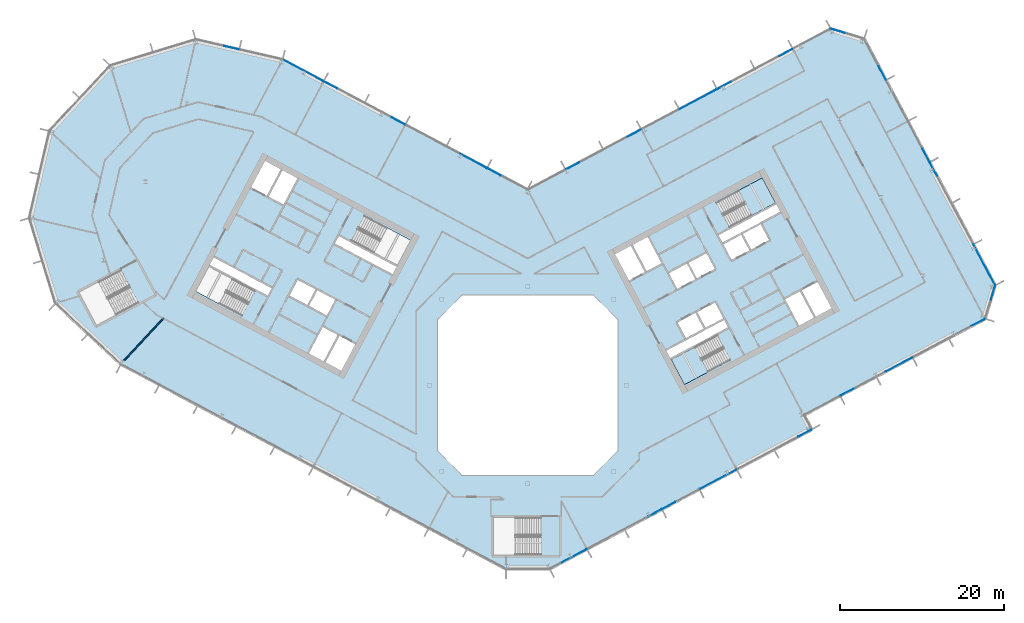
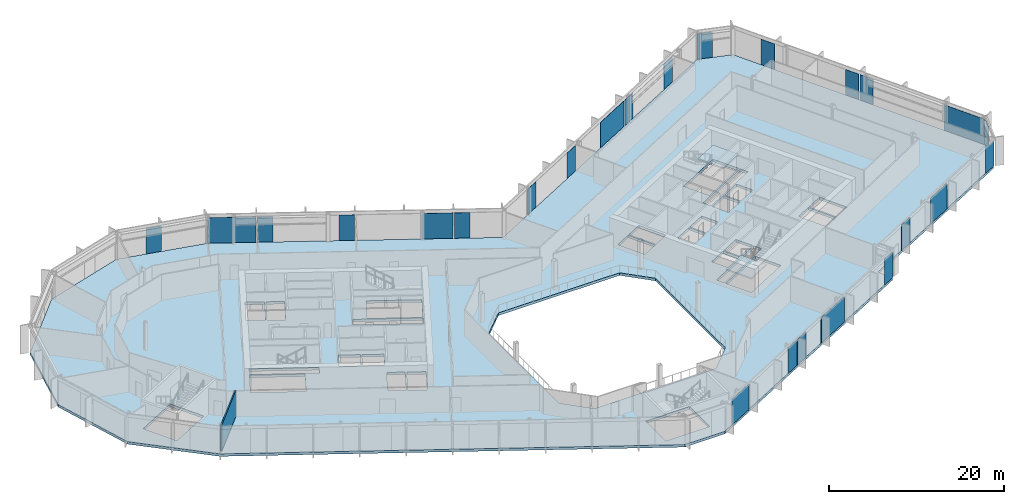
# One storey, part 12 of 28: 25 plates, 3 slabs, 1 wall, 10 elements without a shape of their own.
"""IFC4 building model written with IfcOpenShell, lengths in metres."""

import ifcopenshell
import ifcopenshell.guid

model = None  # the IFC model being written
_history = None  # IfcOwnerHistory: only IFC2X3 demands one
_inside = {}  # id of a spatial element -> (the spatial element, [elements in it])
_under = {}  # id of a project, library or spatial element -> (it, [spatial elements below it])
_declared = {}  # id of a project -> (the project, [libraries it declares])
_typed = {}  # id of a type object -> (the type object, [elements of that type])
_made_of = {}  # id of a material, layer set ... -> (it, [elements and type objects made of it])


def new_model(schema):
    """Start an empty IFC model of exactly this schema.

    Asked for "IFC4X3", IfcOpenShell would pick the latest addendum, in which some entities
    have other attributes; the version numbers below select the first issue.
    IFC2X3 requires an IfcOwnerHistory on every rooted entity: one is made here for all.
    """
    global model, _history
    if schema == "IFC4X3":
        model = ifcopenshell.file(schema_version=(4, 3, 0, 0))
    else:
        model = ifcopenshell.file(schema=schema)
    _inside.clear()
    _under.clear()
    _declared.clear()
    _typed.clear()
    _made_of.clear()
    _history = None
    if model.schema == "IFC2X3":
        org = make("IfcOrganization", Name="unknown")
        user = make(
            "IfcPersonAndOrganization",
            ThePerson=make("IfcPerson", FamilyName="unknown"),
            TheOrganization=org,
        )
        app = make(
            "IfcApplication",
            ApplicationDeveloper=org,
            Version="unknown",
            ApplicationFullName="unknown",
            ApplicationIdentifier="unknown",
        )
        _history = make(
            "IfcOwnerHistory",
            OwningUser=user,
            OwningApplication=app,
            ChangeAction="ADDED",
            CreationDate=0,
        )
    return model


def make(cls, **values):
    """One entity of the class cls with the attributes given. An attribute that is None is left unset."""
    return model.create_entity(
        cls, **{name: value for name, value in values.items() if value is not None}
    )


def rooted(cls, **values):
    """An entity with a GlobalId (a new one), such as an element, a storey or a relation."""
    return make(cls, GlobalId=ifcopenshell.guid.new(), OwnerHistory=_history, **values)


def si_unit(unit_type, name, prefix=None):
    """IfcSIUnit, for example si_unit("LENGTHUNIT", "METRE", prefix="MILLI")."""
    return make("IfcSIUnit", UnitType=unit_type, Prefix=prefix, Name=name)


def assignment(units):
    """IfcUnitAssignment: the units of a project."""
    return None if units is None else make("IfcUnitAssignment", Units=units)


def point(xyz):
    """IfcCartesianPoint."""
    return None if xyz is None else make("IfcCartesianPoint", Coordinates=xyz)


def direction(xyz):
    """IfcDirection."""
    return None if xyz is None else make("IfcDirection", DirectionRatios=xyz)


def frame(location, z_axis=None, x_axis=None):
    """IfcAxis2Placement3D, a coordinate frame: its origin and axes. An axis left out is left unset."""
    return make(
        "IfcAxis2Placement3D",
        Location=point(location),
        Axis=direction(z_axis),
        RefDirection=direction(x_axis),
    )


def frame_2d(location, x_axis=None):
    """IfcAxis2Placement2D, a coordinate frame in the plane: its origin and x axis."""
    return make(
        "IfcAxis2Placement2D", Location=point(location), RefDirection=direction(x_axis)
    )


def origin():
    """The frame at (0, 0, 0) with its axes left unset."""
    return frame((0.0, 0.0, 0.0))


def origin_2d():
    """The frame at (0, 0) in the plane with its x axis left unset."""
    return frame_2d((0.0, 0.0))


def place(relative_to, where):
    """IfcLocalPlacement: puts the frame where relative to a parent placement (None: the world)."""
    return make(
        "IfcLocalPlacement", PlacementRelTo=relative_to, RelativePlacement=where
    )


def context(
    kind, dimensions, precision=None, world=None, true_north=None, identifier=None
):
    """IfcGeometricRepresentationContext, for example the 3D "Model" context."""
    return make(
        "IfcGeometricRepresentationContext",
        ContextIdentifier=identifier,
        ContextType=kind,
        CoordinateSpaceDimension=dimensions,
        Precision=precision,
        WorldCoordinateSystem=world,
        TrueNorth=true_north,
    )


def subcontext(parent, identifier, kind, view, scale=None):
    """IfcGeometricRepresentationSubContext, for example "Body" below "Model"."""
    return make(
        "IfcGeometricRepresentationSubContext",
        ContextIdentifier=identifier,
        ContextType=kind,
        ParentContext=parent,
        TargetScale=scale,
        TargetView=view,
    )


def project(units=None, contexts=None):
    """IfcProject with its units and contexts."""
    return rooted(
        "IfcProject",
        Name="project",
        RepresentationContexts=contexts,
        UnitsInContext=assignment(units),
    )


def spatial(cls, under=None, at=None, **own):
    """A site, building, storey or space (cls), placed at a placement, below another one or the project."""
    s = rooted(cls, ObjectPlacement=at, **own)
    if under is not None:
        _under.setdefault(under.id(), (under, []))[1].append(s)
    return s


def polyline(points):
    """IfcPolyline through the points."""
    return make("IfcPolyline", Points=[point(p) for p in points])


def profile(cls, at=None, kind="AREA", **sizes):
    """A parametric profile (cls). Its sizes go by their IFC names, for example OverallWidth=200.0."""
    return make(cls, ProfileType=kind, Position=at, **sizes)


def rectangle(**sizes):
    """IfcRectangleProfileDef."""
    return profile("IfcRectangleProfileDef", **sizes)


def outline(outer, holes=None, kind="AREA"):
    """IfcArbitraryClosedProfileDef: a profile drawn as a closed curve; with holes, ...WithVoids."""
    if holes is None:
        return make("IfcArbitraryClosedProfileDef", ProfileType=kind, OuterCurve=outer)
    return make(
        "IfcArbitraryProfileDefWithVoids",
        ProfileType=kind,
        OuterCurve=outer,
        InnerCurves=holes,
    )


def extrude(swept, where, along, depth):
    """IfcExtrudedAreaSolid: the profile swept, set in the frame where, extruded along a direction by depth."""
    return make(
        "IfcExtrudedAreaSolid",
        SweptArea=swept,
        Position=where,
        ExtrudedDirection=direction(along),
        Depth=depth,
    )


def shape(context_of_items, identifier, shape_type, items):
    """IfcShapeRepresentation: the items that make up one representation, for example the "Body"."""
    return make(
        "IfcShapeRepresentation",
        ContextOfItems=context_of_items,
        RepresentationIdentifier=identifier,
        RepresentationType=shape_type,
        Items=items,
    )


def material(Name=None, Category=None):
    """IfcMaterial."""
    return make("IfcMaterial", Name=Name, Category=Category)


def layer(
    of_material, thickness, ventilated=None, Name=None, Category=None, Priority=None
):
    """IfcMaterialLayer: one layer of a wall or slab, of a material (None: an air gap)."""
    return make(
        "IfcMaterialLayer",
        Material=of_material,
        LayerThickness=thickness,
        IsVentilated=ventilated,
        Name=Name,
        Category=Category,
        Priority=Priority,
    )


def layer_set(layers, Name=None):
    """IfcMaterialLayerSet."""
    return make("IfcMaterialLayerSet", MaterialLayers=layers, LayerSetName=Name)


def made_of(thing, what):
    """Note that an element or type object is made of a material, layer set ...; save() writes the relation."""
    if what is not None:
        _made_of.setdefault(what.id(), (what, []))[1].append(thing)
    return thing


def type_object(cls, material=None, **own):
    """A type object (cls), such as IfcWallType, which elements share."""
    return made_of(rooted(cls, **own), material)


def element(
    cls,
    number,
    at=None,
    inside=None,
    cuts=None,
    type_object=None,
    material=None,
    context=None,
    identifier="Body",
    shape_type=None,
    held_by="IfcProductDefinitionShape",
    body=None,
    shapes=None,
    **own,
):
    """One element of the class cls, such as IfcWall. Its Tag is "e" and its number.

    at: its placement. inside: the storey or other place that contains it. cuts: it is an
    opening in that element (IfcRelVoidsElement). A single representation is given by context,
    identifier, shape_type and body (its items); several are given by shapes. held_by: the class
    of the entity that holds the representations. save() writes the other relations.
    """
    e = rooted(cls, Tag="e%d" % number, ObjectPlacement=at, **own)
    if body is not None:
        shapes = [shape(context, identifier, shape_type, body)]
    if shapes is not None:
        e.Representation = make(held_by, Representations=shapes)
    if inside is not None:
        _inside.setdefault(inside.id(), (inside, []))[1].append(e)
    if cuts is not None:
        rooted(
            "IfcRelVoidsElement", RelatingBuildingElement=cuts, RelatedOpeningElement=e
        )
    if type_object is not None:
        _typed.setdefault(type_object.id(), (type_object, []))[1].append(e)
    return made_of(e, material)


def aggregate(whole, parts):
    """IfcRelAggregates: a whole, such as a stair, and the parts it consists of."""
    return rooted("IfcRelAggregates", RelatingObject=whole, RelatedObjects=parts)


def save(model, path):
    """Write the relations noted so far, then the file.

    IfcRelAggregates (storeys below a building ...), IfcRelContainedInSpatialStructure (elements
    in a storey), IfcRelDefinesByType, IfcRelAssociatesMaterial and IfcRelDeclares: one each for
    every whole, place, type object, material and project.
    """
    for whole, parts in _under.values():
        aggregate(whole, parts)
    for where, things in _inside.values():
        rooted(
            "IfcRelContainedInSpatialStructure",
            RelatedElements=things,
            RelatingStructure=where,
        )
    for kind, things in _typed.values():
        rooted("IfcRelDefinesByType", RelatedObjects=things, RelatingType=kind)
    for what, things in _made_of.values():
        rooted("IfcRelAssociatesMaterial", RelatedObjects=things, RelatingMaterial=what)
    for by, libraries in _declared.values():
        rooted("IfcRelDeclares", RelatingContext=by, RelatedDefinitions=libraries)
    model.write(path)


model = new_model("IFC4")

# Units and contexts
model_context = context("Model", 3, precision=1e-05, world=origin(), true_north=direction((0.0, 1.0)))
body_context = subcontext(model_context, "Body", "Model", "MODEL_VIEW")
ifc_project = project(units=[si_unit("LENGTHUNIT", "METRE"), si_unit("AREAUNIT", "SQUARE_METRE"), si_unit("VOLUMEUNIT", "CUBIC_METRE"), si_unit("PLANEANGLEUNIT", "RADIAN"), si_unit("MASSUNIT", "GRAM", prefix="KILO")], contexts=[model_context])

# Site, building, storey
site_placement = place(None, origin())
site = spatial("IfcSite", under=ifc_project, at=site_placement, CompositionType="ELEMENT")
building_placement = place(site_placement, origin())
building = spatial("IfcBuilding", under=site, at=building_placement, Name="Cormorant Relay Tower", CompositionType="ELEMENT")
storey_placement = place(building_placement, frame((0.0, 0.0, 166.199951171875)))
storey = spatial("IfcBuildingStorey", under=building, at=storey_placement, Name="L35", CompositionType="ELEMENT", Elevation=166.199951171875)

# Curtain wall, plates
ifc_material_1 = material(Name="Aluminium 6063-T6 anodised bronze", Category="aluminium")
ifc_layer_1 = layer(ifc_material_1, 0.199951171875)
ifc_layer_set_1 = layer_set([ifc_layer_1], Name="CW1 unitised bronze curtain wall with vertical fins")
curtain_wall_type = type_object("IfcCurtainWallType", Name="CW1 unitised bronze curtain wall with vertical fins", PredefinedType="NOTDEFINED", material=ifc_layer_set_1)
curtain_wall_1_placement = place(storey_placement, origin())
curtain_wall_1 = element("IfcCurtainWall", 1, at=curtain_wall_1_placement, inside=storey, type_object=curtain_wall_type, Name="CW1 curtain wall 2", PredefinedType="NOTDEFINED")
ifc_material_2 = material(Name="Tinted laminated glass", Category="glass")
ifc_layer_2 = layer(ifc_material_2, 0.0400390625)
ifc_layer_set_2 = layer_set([ifc_layer_2], Name="CW1 tinted vision panel 1800 module")
plate_type_1 = type_object("IfcPlateType", Name="CW1 tinted vision panel 1800 module", PredefinedType="CURTAIN_PANEL", material=ifc_layer_set_2)
plate_1_placement = place(storey_placement, frame((15.48291015625, -15.57421875, 0.0), z_axis=(0.0, 0.0, 1.0), x_axis=(0.882947592859, 0.469471562786, 0.0)))
plate_1 = element("IfcPlate", 2, at=plate_1_placement, type_object=plate_type_1, Name="CW1 panel V03", PredefinedType="CURTAIN_PANEL", context=body_context, shape_type="SweptSolid", body=[
    extrude(rectangle(XDim=1.800048828125, YDim=0.0400390625, at=origin_2d()), origin(), (0.0, 0.0, 1.0), 3.550048828125),
])
plate_2_placement = place(storey_placement, frame((17.20458984375, -14.65869140625, 0.0), z_axis=(0.0, 0.0, 1.0), x_axis=(0.882947592859, 0.469471562786, 0.0)))
plate_2 = element("IfcPlate", 3, at=plate_2_placement, type_object=plate_type_1, Name="CW1 panel V04", PredefinedType="CURTAIN_PANEL", context=body_context, shape_type="SweptSolid", body=[
    extrude(rectangle(XDim=1.800048828125, YDim=0.0400390625, at=origin_2d()), origin(), (0.0, 0.0, 1.0), 3.550048828125),
])
plate_3_placement = place(storey_placement, frame((33.796142578125, -5.8369140625, 0.0), z_axis=(0.0, 0.0, 1.0), x_axis=(0.882947592859, 0.469471562786, 0.0)))
plate_3 = element("IfcPlate", 4, at=plate_3_placement, type_object=plate_type_1, Name="CW1 panel V08", PredefinedType="CURTAIN_PANEL", context=body_context, shape_type="SweptSolid", body=[
    extrude(rectangle(XDim=1.800048828125, YDim=0.0400390625, at=origin_2d()), origin(), (0.0, 0.0, 1.0), 3.550048828125),
])

curtain_wall_2_placement = place(storey_placement, origin())
curtain_wall_2 = element("IfcCurtainWall", 5, at=curtain_wall_2_placement, inside=storey, type_object=curtain_wall_type, Name="CW1 curtain wall 4", PredefinedType="NOTDEFINED")
plate_4_placement = place(storey_placement, frame((38.927490234375, -0.843505859375, 0.0), z_axis=(0.0, 0.0, 1.0), x_axis=(0.882947592859, 0.469471562786, 0.0)))
plate_4 = element("IfcPlate", 6, at=plate_4_placement, type_object=plate_type_1, Name="CW1 panel V01", PredefinedType="CURTAIN_PANEL", context=body_context, shape_type="SweptSolid", body=[
    extrude(rectangle(XDim=1.800048828125, YDim=0.0400390625, at=origin_2d()), origin(), (0.0, 0.0, 1.0), 3.550048828125),
])
plate_5_placement = place(storey_placement, frame((54.930908203125, 7.665771484375, 0.0), z_axis=(0.0, 0.0, 1.0), x_axis=(0.882947592859, 0.469471562786, 0.0)))
plate_5 = element("IfcPlate", 7, at=plate_5_placement, type_object=plate_type_1, Name="CW1 panel V05", PredefinedType="CURTAIN_PANEL", context=body_context, shape_type="SweptSolid", body=[
    extrude(rectangle(XDim=1.800048828125, YDim=0.0400390625, at=origin_2d()), origin(), (0.0, 0.0, 1.0), 3.550048828125),
])

# Curtain wall, plate
curtain_wall_3_placement = place(storey_placement, origin())
curtain_wall_3 = element("IfcCurtainWall", 8, at=curtain_wall_3_placement, inside=storey, type_object=curtain_wall_type, Name="CW1 curtain wall 5", PredefinedType="NOTDEFINED")
plate_6_placement = place(storey_placement, frame((56.712646484375, 11.296630859375, 0.0), z_axis=(0.0, 0.0, 1.0), x_axis=(0.292371704723, 0.956304755963, 0.0)))
plate_6 = element("IfcPlate", 9, at=plate_6_placement, type_object=plate_type_1, Name="CW1 panel V01", PredefinedType="CURTAIN_PANEL", context=body_context, shape_type="SweptSolid", body=[
    extrude(rectangle(XDim=1.800048828125, YDim=0.0400390625, at=origin_2d()), origin(), (0.0, 0.0, 1.0), 3.550048828125),
])
aggregate(curtain_wall_3, [plate_6])

# Curtain wall, plates
curtain_wall_4_placement = place(storey_placement, origin())
curtain_wall_4 = element("IfcCurtainWall", 10, at=curtain_wall_4_placement, inside=storey, type_object=curtain_wall_type, Name="CW1 curtain wall 6", PredefinedType="NOTDEFINED")
plate_7_placement = place(storey_placement, frame((49.450927734375, 26.322021484375, 0.0), z_axis=(0.0, 0.0, 1.0), x_axis=(-0.469471562786, 0.882947592859, 0.0)))
plate_7 = element("IfcPlate", 11, at=plate_7_placement, type_object=plate_type_1, Name="CW1 panel V02", PredefinedType="CURTAIN_PANEL", context=body_context, shape_type="SweptSolid", body=[
    extrude(rectangle(XDim=1.800048828125, YDim=0.0400390625, at=origin_2d()), origin(), (0.0, 0.0, 1.0), 3.550048828125),
])
plate_8_placement = place(storey_placement, frame((48.535400390625, 28.043701171875, 0.0), z_axis=(0.0, 0.0, 1.0), x_axis=(-0.469471562786, 0.882947592859, 0.0)))
plate_8 = element("IfcPlate", 12, at=plate_8_placement, type_object=plate_type_1, Name="CW1 panel V03", PredefinedType="CURTAIN_PANEL", context=body_context, shape_type="SweptSolid", body=[
    extrude(rectangle(XDim=1.800048828125, YDim=0.0400390625, at=origin_2d()), origin(), (0.0, 0.0, 1.0), 3.550048828125),
])
plate_9_placement = place(storey_placement, frame((43.21484375, 38.05029296875, 0.0), z_axis=(0.0, 0.0, 1.0), x_axis=(-0.469471562786, 0.882947592859, 0.0)))
plate_9 = element("IfcPlate", 13, at=plate_9_placement, type_object=plate_type_1, Name="CW1 panel V05", PredefinedType="CURTAIN_PANEL", context=body_context, shape_type="SweptSolid", body=[
    extrude(rectangle(XDim=1.800048828125, YDim=0.0400390625, at=origin_2d()), origin(), (0.0, 0.0, 1.0), 3.550048828125),
])

# Curtain wall, plate
curtain_wall_5_placement = place(storey_placement, origin())
curtain_wall_5 = element("IfcCurtainWall", 14, at=curtain_wall_5_placement, inside=storey, type_object=curtain_wall_type, Name="CW1 curtain wall 7", PredefinedType="NOTDEFINED")
plate_10_placement = place(storey_placement, frame((37.8037109375, 43.179931640625, 0.0), z_axis=(0.0, 0.0, 1.0), x_axis=(-0.956304755963, 0.292371704723, 0.0)))
plate_10 = element("IfcPlate", 15, at=plate_10_placement, type_object=plate_type_1, Name="CW1 panel V01", PredefinedType="CURTAIN_PANEL", context=body_context, shape_type="SweptSolid", body=[
    extrude(rectangle(XDim=1.800048828125, YDim=0.0400390625, at=origin_2d()), origin(), (0.0, 0.0, 1.0), 3.550048828125),
])
aggregate(curtain_wall_5, [plate_10])

# Curtain wall, plates
curtain_wall_6_placement = place(storey_placement, origin())
curtain_wall_6 = element("IfcCurtainWall", 16, at=curtain_wall_6_placement, inside=storey, type_object=curtain_wall_type, Name="CW1 curtain wall 8", PredefinedType="NOTDEFINED")
plate_11_placement = place(storey_placement, frame((31.449951171875, 40.52880859375, 0.0), z_axis=(0.0, 0.0, 1.0), x_axis=(-0.882947592859, -0.469471562786, 0.0)))
plate_11 = element("IfcPlate", 17, at=plate_11_placement, type_object=plate_type_1, Name="CW1 panel V01", PredefinedType="CURTAIN_PANEL", context=body_context, shape_type="SweptSolid", body=[
    extrude(rectangle(XDim=1.800048828125, YDim=0.0400390625, at=origin_2d()), origin(), (0.0, 0.0, 1.0), 3.550048828125),
])
plate_12_placement = place(storey_placement, frame((23.937255859375, 36.5341796875, 0.0), z_axis=(0.0, 0.0, 1.0), x_axis=(-0.882947592859, -0.469471562786, 0.0)))
plate_12 = element("IfcPlate", 18, at=plate_12_placement, type_object=plate_type_1, Name="CW1 panel V03", PredefinedType="CURTAIN_PANEL", context=body_context, shape_type="SweptSolid", body=[
    extrude(rectangle(XDim=1.800048828125, YDim=0.0400390625, at=origin_2d()), origin(), (0.0, 0.0, 1.0), 3.550048828125),
])
plate_13_placement = place(storey_placement, frame((12.981201171875, 30.708984375, 0.0), z_axis=(0.0, 0.0, 1.0), x_axis=(-0.882947592859, -0.469471562786, 0.0)))
plate_13 = element("IfcPlate", 19, at=plate_13_placement, type_object=plate_type_1, Name="CW1 panel V06", PredefinedType="CURTAIN_PANEL", context=body_context, shape_type="SweptSolid", body=[
    extrude(rectangle(XDim=1.800048828125, YDim=0.0400390625, at=origin_2d()), origin(), (0.0, 0.0, 1.0), 3.550048828125),
])
plate_14_placement = place(storey_placement, frame((5.468505859375, 26.71435546875, 0.0), z_axis=(0.0, 0.0, 1.0), x_axis=(-0.882947592859, -0.469471562786, 0.0)))
plate_14 = element("IfcPlate", 20, at=plate_14_placement, type_object=plate_type_1, Name="CW1 panel V08", PredefinedType="CURTAIN_PANEL", context=body_context, shape_type="SweptSolid", body=[
    extrude(rectangle(XDim=1.800048828125, YDim=0.0400390625, at=origin_2d()), origin(), (0.0, 0.0, 1.0), 3.550048828125),
])

curtain_wall_7_placement = place(storey_placement, origin())
curtain_wall_7 = element("IfcCurtainWall", 21, at=curtain_wall_7_placement, inside=storey, type_object=curtain_wall_type, Name="CW1 curtain wall 9", PredefinedType="NOTDEFINED")
plate_15_placement = place(storey_placement, frame((-4.108642578125, 25.9912109375, 0.0), z_axis=(0.0, 0.0, 1.0), x_axis=(-0.882947592859, 0.469471562786, 0.0)))
plate_15 = element("IfcPlate", 22, at=plate_15_placement, type_object=plate_type_1, Name="CW1 panel V01", PredefinedType="CURTAIN_PANEL", context=body_context, shape_type="SweptSolid", body=[
    extrude(rectangle(XDim=1.800048828125, YDim=0.0400390625, at=origin_2d()), origin(), (0.0, 0.0, 1.0), 3.550048828125),
])
plate_16_placement = place(storey_placement, frame((-15.788330078125, 32.201416015625, 0.0), z_axis=(0.0, 0.0, 1.0), x_axis=(-0.882947592859, 0.469471562786, 0.0)))
plate_16 = element("IfcPlate", 23, at=plate_16_placement, type_object=plate_type_1, Name="CW1 panel V04", PredefinedType="CURTAIN_PANEL", context=body_context, shape_type="SweptSolid", body=[
    extrude(rectangle(XDim=1.800048828125, YDim=0.0400390625, at=origin_2d()), origin(), (0.0, 0.0, 1.0), 3.550048828125),
])
plate_17_placement = place(storey_placement, frame((-24.0244140625, 36.580810546875, 0.0), z_axis=(0.0, 0.0, 1.0), x_axis=(-0.882947592859, 0.469471562786, 0.0)))
plate_17 = element("IfcPlate", 24, at=plate_17_placement, type_object=plate_type_1, Name="CW1 panel V06", PredefinedType="CURTAIN_PANEL", context=body_context, shape_type="SweptSolid", body=[
    extrude(rectangle(XDim=1.800048828125, YDim=0.0400390625, at=origin_2d()), origin(), (0.0, 0.0, 1.0), 3.550048828125),
])

# Curtain wall, plate
curtain_wall_8_placement = place(storey_placement, origin())
curtain_wall_8 = element("IfcCurtainWall", 25, at=curtain_wall_8_placement, inside=storey, type_object=curtain_wall_type, Name="CW1 curtain wall 10", PredefinedType="NOTDEFINED")
plate_18_placement = place(storey_placement, frame((-36.114990234375, 41.129638671875, 0.0), z_axis=(0.0, 0.0, 1.0), x_axis=(-0.974370064785, 0.224951054344, 0.0)))
plate_18 = element("IfcPlate", 26, at=plate_18_placement, type_object=plate_type_1, Name="CW1 panel V01", PredefinedType="CURTAIN_PANEL", context=body_context, shape_type="SweptSolid", body=[
    extrude(rectangle(XDim=1.800048828125, YDim=0.0400390625, at=origin_2d()), origin(), (0.0, 0.0, 1.0), 3.550048828125),
])
aggregate(curtain_wall_8, [plate_18])

# Plate
ifc_material_3 = material(Name="Tinted laminated glass", Category="glass")
ifc_layer_3 = layer(ifc_material_3, 0.0400390625)
ifc_layer_set_3 = layer_set([ifc_layer_3], Name="CW1 tinted vision panel 3600 module")
plate_type_2 = type_object("IfcPlateType", Name="CW1 tinted vision panel 3600 module", PredefinedType="CURTAIN_PANEL", material=ifc_layer_set_3)
plate_19_placement = place(storey_placement, frame((5.564453125, -20.847900390625, 0.0), z_axis=(0.0, 0.0, 1.0), x_axis=(0.882947592859, 0.469471562786, 0.0)))
plate_19 = element("IfcPlate", 27, at=plate_19_placement, type_object=plate_type_2, Name="CW1 panel V01", PredefinedType="CURTAIN_PANEL", context=body_context, shape_type="SweptSolid", body=[
    extrude(rectangle(XDim=3.60009765625, YDim=0.0400390625, at=origin_2d()), origin(), (0.0, 0.0, 1.0), 3.550048828125),
])

plate_20_placement = place(storey_placement, frame((45.240478515625, 2.513427734375, 0.0), z_axis=(0.0, 0.0, 1.0), x_axis=(0.882947592859, 0.469471562786, 0.0)))
plate_20 = element("IfcPlate", 28, at=plate_20_placement, type_object=plate_type_2, Name="CW1 panel V03", PredefinedType="CURTAIN_PANEL", context=body_context, shape_type="SweptSolid", body=[
    extrude(rectangle(XDim=3.60009765625, YDim=0.0400390625, at=origin_2d()), origin(), (0.0, 0.0, 1.0), 3.550048828125),
])

aggregate(curtain_wall_2, [plate_4, plate_20, plate_5])

plate_21_placement = place(storey_placement, frame((-6.625, 27.3291015625, 0.0), z_axis=(0.0, 0.0, 1.0), x_axis=(-0.882947592859, 0.469471562786, 0.0)))
plate_21 = element("IfcPlate", 29, at=plate_21_placement, type_object=plate_type_2, Name="CW1 panel V02", PredefinedType="CURTAIN_PANEL", context=body_context, shape_type="SweptSolid", body=[
    extrude(rectangle(XDim=3.60009765625, YDim=0.0400390625, at=origin_2d()), origin(), (0.0, 0.0, 1.0), 3.550048828125),
])

ifc_material_4 = material(Name="Tinted laminated glass", Category="glass")
ifc_layer_4 = layer(ifc_material_4, 0.0400390625)
ifc_layer_set_4 = layer_set([ifc_layer_4], Name="CW1 tinted vision panel 5400 module")
plate_type_3 = type_object("IfcPlateType", Name="CW1 tinted vision panel 5400 module", PredefinedType="CURTAIN_PANEL", material=ifc_layer_set_4)
plate_22_placement = place(storey_placement, frame((23.186279296875, -11.478271484375, 0.0), z_axis=(0.0, 0.0, 1.0), x_axis=(0.882947592859, 0.469471562786, 0.0)))
plate_22 = element("IfcPlate", 30, at=plate_22_placement, type_object=plate_type_3, Name="CW1 panel V06", PredefinedType="CURTAIN_PANEL", context=body_context, shape_type="SweptSolid", body=[
    extrude(rectangle(XDim=5.0166015625, YDim=0.0400390625, at=origin_2d()), origin(), (0.0, 0.0, 1.0), 3.550048828125),
])

aggregate(curtain_wall_1, [plate_19, plate_1, plate_2, plate_22, plate_3])

plate_23_placement = place(storey_placement, frame((55.64404296875, 14.67431640625, 0.0), z_axis=(0.0, 0.0, 1.0), x_axis=(-0.469471562786, 0.882947592859, 0.0)))
plate_23 = element("IfcPlate", 31, at=plate_23_placement, type_object=plate_type_3, Name="CW1 panel V00", PredefinedType="CURTAIN_PANEL", context=body_context, shape_type="SweptSolid", body=[
    extrude(rectangle(XDim=5.5166015625, YDim=0.0400390625, at=origin_2d()), origin(), (0.0, 0.0, 1.0), 3.550048828125),
])

aggregate(curtain_wall_4, [plate_23, plate_7, plate_8, plate_9])

plate_24_placement = place(storey_placement, frame((20.767822265625, 34.84912109375, 0.0), z_axis=(0.0, 0.0, 1.0), x_axis=(-0.882947592859, -0.469471562786, 0.0)))
plate_24 = element("IfcPlate", 32, at=plate_24_placement, type_object=plate_type_3, Name="CW1 panel V04", PredefinedType="CURTAIN_PANEL", context=body_context, shape_type="SweptSolid", body=[
    extrude(rectangle(XDim=5.079345703125, YDim=0.0400390625, at=origin_2d()), origin(), (0.0, 0.0, 1.0), 3.550048828125),
])

aggregate(curtain_wall_6, [plate_11, plate_12, plate_24, plate_13, plate_14])

plate_25_placement = place(storey_placement, frame((-27.407958984375, 38.379638671875, 0.0), z_axis=(0.0, 0.0, 1.0), x_axis=(-0.882947592859, 0.469471562786, 0.0)))
plate_25 = element("IfcPlate", 33, at=plate_25_placement, type_object=plate_type_3, Name="CW1 panel V07", PredefinedType="CURTAIN_PANEL", context=body_context, shape_type="SweptSolid", body=[
    extrude(rectangle(XDim=5.56396484375, YDim=0.0400390625, at=origin_2d()), origin(), (0.0, 0.0, 1.0), 3.550048828125),
])

aggregate(curtain_wall_7, [plate_15, plate_21, plate_16, plate_17, plate_25])

# Stair, slab
ifc_material_5 = material(Name="Concrete 40 MPa", Category="concrete")
stair_type = type_object("IfcStairType", Name="Exit stair 1500", PredefinedType="HALF_TURN_STAIR", material=ifc_material_5)
stair_1_placement = place(storey_placement, origin())
stair_1 = element("IfcStair", 34, at=stair_1_placement, inside=storey, type_object=stair_type, Name="L35 Stair", PredefinedType="HALF_TURN_STAIR")
ifc_material_6 = material(Name="Concrete 40 MPa", Category="concrete")
ifc_layer_5 = layer(ifc_material_6, 0.199951171875)
ifc_layer_set_5 = layer_set([ifc_layer_5], Name="Exit stair landing 200")
slab_type_1 = type_object("IfcSlabType", Name="Exit stair landing 200", PredefinedType="LANDING", material=ifc_layer_set_5)
slab_1_placement = place(storey_placement, frame((0.0, 0.0, 1.800048828125)))
slab_1 = element("IfcSlab", 35, at=slab_1_placement, type_object=slab_type_1, Name="B1 landing 1", PredefinedType="LANDING", context=body_context, shape_type="SweptSolid", body=[
    extrude(outline(polyline([(20.36767578125, 4.6572265625), (17.48046875, 3.1220703125), (19.10009765625, 0.075927734375), (21.9873046875, 1.611083984375), (20.36767578125, 4.6572265625)])), origin(), (0.0, 0.0, 1.0), 0.199951171875),
])
aggregate(stair_1, [slab_1])

stair_2_placement = place(storey_placement, origin())
stair_2 = element("IfcStair", 36, at=stair_2_placement, inside=storey, type_object=stair_type, Name="L35 Stair", PredefinedType="HALF_TURN_STAIR")
slab_2_placement = place(storey_placement, frame((0.0, 0.0, 1.800048828125)))
slab_2 = element("IfcSlab", 37, at=slab_2_placement, type_object=slab_type_1, Name="B2 landing 1", PredefinedType="LANDING", context=body_context, shape_type="SweptSolid", body=[
    extrude(outline(polyline([(27.3115234375, 20.6943359375), (30.19873046875, 22.2294921875), (28.5791015625, 25.275634765625), (25.69189453125, 23.740478515625), (27.3115234375, 20.6943359375)])), origin(), (0.0, 0.0, 1.0), 0.199951171875),
])
aggregate(stair_2, [slab_2])

# Slab
ifc_material_7 = material(Name="Concrete 40 MPa", Category="concrete")
ifc_layer_6 = layer(ifc_material_7, 0.360107421875)
ifc_layer_set_6 = layer_set([ifc_layer_6], Name="Flat plate 360")
slab_type_2 = type_object("IfcSlabType", Name="Flat plate 360", PredefinedType="FLOOR", material=ifc_layer_set_6)
slab_3_placement = place(storey_placement, frame((0.0, 0.0, -0.35986328125)))
element("IfcSlab", 38, at=slab_3_placement, inside=storey, type_object=slab_type_2, Name="Floor slab L35", PredefinedType="FLOOR", context=body_context, shape_type="SweptSolid", body=[
    extrude(outline(polyline([(-60.7197265625, 20.393310546875), (-58.2744140625, 30.985107421875), (-50.86083984375, 38.935302734375), (-40.465576171875, 42.11328125), (-29.873779296875, 39.668212890625), (0.0, 23.783935546875), (36.937255859375, 43.423828125), (40.99462890625, 42.18359375), (56.95654296875, 12.1630859375), (55.71630859375, 8.10595703125), (33.642578125, -3.630859375), (34.581298828125, -5.396728515625), (2.648681640625, -22.37548828125), (-2.648681640625, -22.37548828125), (-49.591552734375, 2.584228515625), (-57.541748046875, 9.997802734375), (-60.7197265625, 20.393310546875)]), holes=[polyline([(11.0, -8.0), (11.0, 8.0), (8.0, 11.0), (-8.0, 11.0), (-11.0, 8.0), (-11.0, -8.0), (-8.0, -11.0), (8.0, -11.0), (11.0, -8.0)]), polyline([(-4.199951171875, -16.125), (-4.199951171875, -20.675048828125), (1.60009765625, -20.675048828125), (1.60009765625, -16.125), (-4.199951171875, -16.125)]), polyline([(-22.95458984375, 6.03271484375), (-24.668212890625, 2.81005859375), (-22.725830078125, 1.777099609375), (-21.01220703125, 5.0), (-23.04296875, 6.07958984375), (-22.95458984375, 6.03271484375)]), polyline([(-24.985595703125, 7.112548828125), (-26.69921875, 3.889892578125), (-24.844970703125, 2.90380859375), (-23.13134765625, 6.126708984375), (-23.04296875, 6.07958984375), (-24.985595703125, 7.112548828125)]), polyline([(-24.481201171875, 8.48681640625), (-23.448486328125, 10.42919921875), (-25.656005859375, 11.602783203125), (-26.688720703125, 9.660400390625), (-24.481201171875, 8.48681640625)]), polyline([(-49.57861328125, 14.0537109375), (-54.69970703125, 11.330810546875), (-52.563720703125, 7.3134765625), (-47.442626953125, 10.036376953125), (-49.57861328125, 14.0537109375)]), polyline([(-25.83251953125, 11.69677734375), (-28.039794921875, 12.870361328125), (-29.07275390625, 10.927978515625), (-26.865234375, 9.75439453125), (-25.83251953125, 11.69677734375)]), polyline([(-38.847900390625, 14.483154296875), (-40.46728515625, 11.43701171875), (-34.860595703125, 8.455810546875), (-33.240966796875, 11.502197265625), (-38.847900390625, 14.483154296875)]), polyline([(-38.260986328125, 15.5869140625), (-38.75390625, 14.659912109375), (-31.690185546875, 10.904052734375), (-31.197265625, 11.8310546875), (-38.260986328125, 15.5869140625)]), polyline([(14.3056640625, 13.779052734375), (12.592041015625, 17.001708984375), (10.649658203125, 15.968994140625), (12.36328125, 12.74609375), (14.39404296875, 13.825927734375), (14.3056640625, 13.779052734375)]), polyline([(16.33642578125, 14.85888671875), (14.622802734375, 18.08154296875), (12.768798828125, 17.095703125), (14.482421875, 13.872802734375), (14.39404296875, 13.825927734375), (16.33642578125, 14.85888671875)]), polyline([(-16.481689453125, 13.520263671875), (-15.989013671875, 14.447509765625), (-23.052490234375, 18.203125), (-23.54541015625, 17.276123046875), (-16.481689453125, 13.520263671875)]), polyline([(-21.501708984375, 17.605224609375), (-15.89501953125, 14.6240234375), (-14.275390625, 17.670166015625), (-19.882080078125, 20.6513671875), (-21.501708984375, 17.605224609375)]), polyline([(-31.611572265625, 22.980712890625), (-29.75732421875, 21.99462890625), (-28.043701171875, 25.217529296875), (-29.89794921875, 26.203369140625), (-31.611572265625, 22.980712890625)]), polyline([(-32.01708984375, 27.330078125), (-33.73046875, 24.107421875), (-31.7880859375, 23.074462890625), (-30.074462890625, 26.29736328125), (-32.01708984375, 27.330078125)]), polyline([(17.48046875, 3.1220703125), (19.10009765625, 0.07568359375), (24.706787109375, 3.056884765625), (23.087158203125, 6.10302734375), (17.48046875, 3.1220703125)]), polyline([(16.8935546875, 4.2255859375), (17.386474609375, 3.298583984375), (24.4501953125, 7.054443359375), (23.957275390625, 7.9814453125), (16.8935546875, 4.2255859375)]), polyline([(20.446533203125, 8.8330078125), (18.239013671875, 7.6591796875), (19.27197265625, 5.716796875), (21.479248046875, 6.890380859375), (20.446533203125, 8.8330078125)]), polyline([(21.656005859375, 6.984375), (23.86328125, 8.158203125), (22.830322265625, 10.1005859375), (20.623046875, 8.927001953125), (21.656005859375, 6.984375)]), polyline([(33.197021484375, 11.478515625), (31.3427734375, 10.49267578125), (33.056396484375, 7.27001953125), (34.910400390625, 8.255859375), (33.197021484375, 11.478515625)]), polyline([(33.37353515625, 11.572509765625), (35.087158203125, 8.349609375), (37.029541015625, 9.382568359375), (35.31591796875, 12.605224609375), (33.37353515625, 11.572509765625)]), polyline([(17.19384765625, 13.67236328125), (18.2265625, 11.72998046875), (20.43408203125, 12.903564453125), (19.401123046875, 14.84619140625), (17.19384765625, 13.67236328125)]), polyline([(20.610595703125, 12.99755859375), (22.81787109375, 14.171142578125), (21.78515625, 16.113525390625), (19.57763671875, 14.93994140625), (20.610595703125, 12.99755859375)]), polyline([(26.023193359375, 18.3671875), (23.81591796875, 17.193359375), (24.8486328125, 15.2509765625), (27.05615234375, 16.424560546875), (26.023193359375, 18.3671875)]), polyline([(29.440185546875, 17.692138671875), (28.4072265625, 19.634765625), (26.19970703125, 18.4609375), (27.232666015625, 16.5185546875), (29.440185546875, 17.692138671875)]), polyline([(30.78564453125, 21.125732421875), (30.29248046875, 22.052978515625), (23.22900390625, 18.297119140625), (23.721923828125, 17.3701171875), (30.78564453125, 21.125732421875)]), polyline([(24.592041015625, 19.248291015625), (30.19873046875, 22.2294921875), (28.5791015625, 25.275634765625), (22.972412109375, 22.29443359375), (24.592041015625, 19.248291015625)])]), origin(), (0.0, 0.0, 1.0), 0.35986328125),
])

# Wall
ifc_material_8 = material(Name="Gypsum board partition")
ifc_layer_7 = layer(ifc_material_8, 0.14990234375)
ifc_layer_set_7 = layer_set([ifc_layer_7], Name="Tenant partition 150")
wall_type = type_object("IfcWallType", Name="Tenant partition 150", PredefinedType="PARTITIONING", material=ifc_layer_set_7)
wall_placement = place(storey_placement, frame((-44.402099609375, 8.14892578125, 0.0), z_axis=(0.0, 0.0, 1.0), x_axis=(-0.682039957921, -0.731314908777, 0.0)))
element("IfcWall", 39, at=wall_placement, inside=storey, type_object=wall_type, Name="wall/L35/part/011", PredefinedType="PARTITIONING", context=body_context, shape_type="SweptSolid", body=[
    extrude(rectangle(XDim=7.0654296875, YDim=0.14990234375, at=frame_2d((3.53271484375, 0.0))), origin(), (0.0, 0.0, 1.0), 3.64013671875),
])

save(model, "model.ifc")
